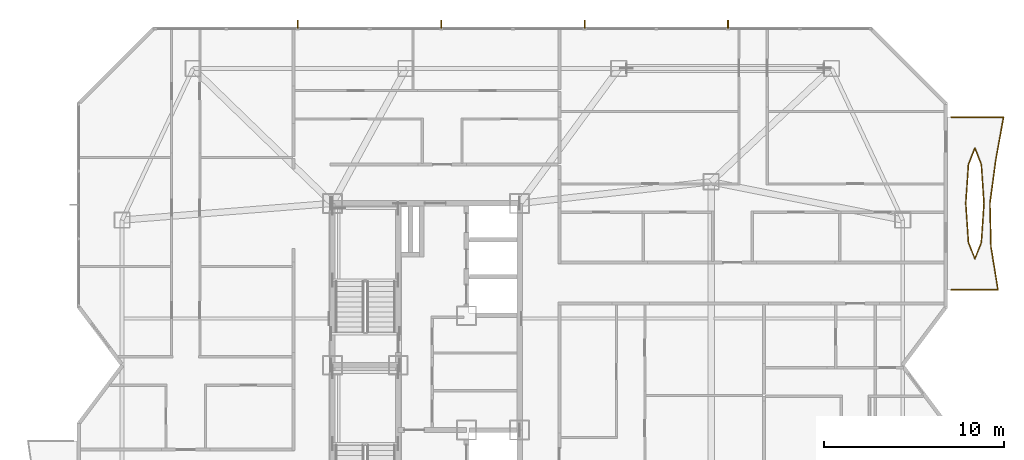
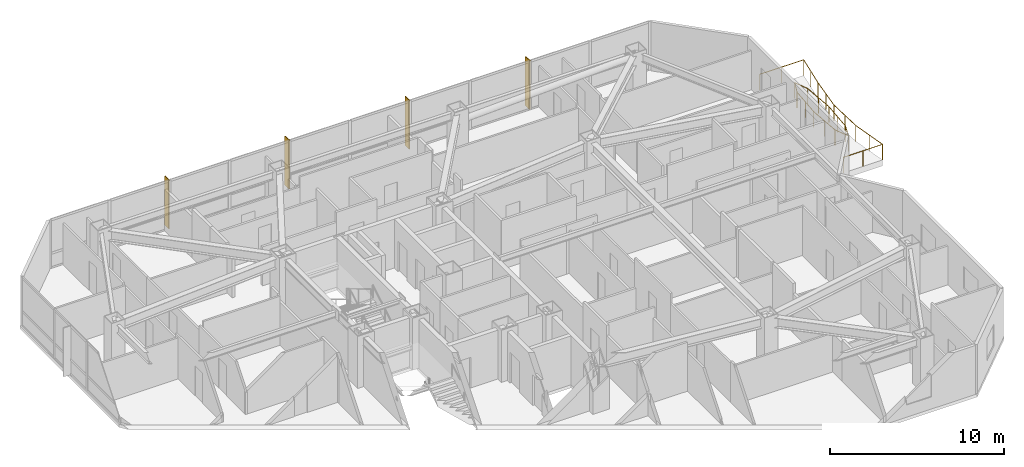
# One storey, part 21 of 21: 4 railings, 4 shading devices.
"""IFC4 building model written with IfcOpenShell, lengths in metres."""

from ifc_helpers import new_model, si_unit, direction, frame, origin, origin_2d, place, context, subcontext, project, spatial, rectangle, circle, extrude, material, type_object, element, save


model = new_model("IFC4")

# Units and contexts
model_context = context("Model", 3, precision=1e-05, world=origin(), true_north=direction((0.0, 1.0)))
body_context = subcontext(model_context, "Body", "Model", "MODEL_VIEW")
ifc_project = project(units=[si_unit("LENGTHUNIT", "METRE"), si_unit("AREAUNIT", "SQUARE_METRE"), si_unit("VOLUMEUNIT", "CUBIC_METRE"), si_unit("PLANEANGLEUNIT", "RADIAN"), si_unit("MASSUNIT", "GRAM", prefix="KILO")], contexts=[model_context])

# Site, building, storey
site_placement = place(None, origin())
site = spatial("IfcSite", under=ifc_project, at=site_placement, CompositionType="ELEMENT")
building_placement = place(site_placement, origin())
building = spatial("IfcBuilding", under=site, at=building_placement, Name="Khamvora Tower", CompositionType="ELEMENT")
storey_placement = place(building_placement, frame((0.0, 0.0, 159.550048828125)))
storey = spatial("IfcBuildingStorey", under=building, at=storey_placement, Name="L40", CompositionType="ELEMENT", Elevation=159.550048828125)

# Railings
ifc_material_1 = material(Name="Stainless Steel 316 and Laminated Glass", Category="steel")
railing_type = type_object("IfcRailingType", Name="RAL-GAL-1120", PredefinedType="GUARDRAIL", material=ifc_material_1)
railing_1_placement = place(storey_placement, frame((63.39990234375, 32.199951171875, 0.0)))
element("IfcRailing", 1, at=railing_1_placement, inside=storey, type_object=railing_type, Name="L40 lens gallery south perimeter guardrail EL2", PredefinedType="GUARDRAIL", context=body_context, shape_type="SweptSolid", body=[
    extrude(circle(Radius=0.02392578125, at=origin_2d()), frame((0.0, 0.0, 1.09619140625), z_axis=(1.0, 0.0, 0.0), x_axis=(0.0, 1.0, 0.0)), (0.0, 0.0, 1.0), 2.59814453125),
    extrude(circle(Radius=0.02392578125, at=origin_2d()), frame((2.59814453125, 0.0, 1.09619140625), z_axis=(-0.159560767405, 0.98718810847, 0.0), x_axis=(-0.98718810847, -0.159560767405, 0.0)), (0.0, 0.0, 1.0), 2.431396484375),
    extrude(circle(Radius=0.02392578125, at=origin_2d()), frame((2.210205078125, 2.400146484375, 1.09619140625), z_axis=(-0.023797937805, 0.999716788974, 0.0), x_axis=(-0.999716788974, -0.023797937805, 0.0)), (0.0, 0.0, 1.0), 2.400634765625),
    extrude(circle(Radius=0.02099609375, at=origin_2d()), origin(), (0.0, 0.0, 1.0), 1.072021484375),
    extrude(circle(Radius=0.02099609375, at=origin_2d()), frame((1.299072265625, 0.0, 0.0)), (0.0, 0.0, 1.0), 1.072021484375),
    extrude(circle(Radius=0.02099609375, at=origin_2d()), frame((2.59814453125, 0.0, 0.0)), (0.0, 0.0, 1.0), 1.072021484375),
    extrude(circle(Radius=0.02099609375, at=origin_2d()), frame((2.404296875, 1.2001953125, 0.0)), (0.0, 0.0, 1.0), 1.072021484375),
    extrude(circle(Radius=0.02099609375, at=origin_2d()), frame((2.210205078125, 2.400146484375, 0.0)), (0.0, 0.0, 1.0), 1.072021484375),
    extrude(circle(Radius=0.02099609375, at=origin_2d()), frame((2.181640625, 3.60009765625, 0.0)), (0.0, 0.0, 1.0), 1.072021484375),
    extrude(circle(Radius=0.02099609375, at=origin_2d()), frame((2.153076171875, 4.800048828125, 0.0)), (0.0, 0.0, 1.0), 1.072021484375),
])
railing_2_placement = place(storey_placement, frame((65.552978515625, 37.0, 0.0)))
element("IfcRailing", 2, at=railing_2_placement, inside=storey, type_object=railing_type, Name="L40 lens gallery north perimeter guardrail EL2", PredefinedType="GUARDRAIL", context=body_context, shape_type="SweptSolid", body=[
    extrude(circle(Radius=0.02392578125, at=origin_2d()), frame((0.0, 0.0, 1.09619140625), z_axis=(0.132989212903, 0.99111748509, 0.0), x_axis=(-0.99111748509, 0.132989212903, 0.0)), (0.0, 0.0, 1.0), 2.42138671875),
    extrude(circle(Radius=0.02392578125, at=origin_2d()), frame((0.322021484375, 2.39990234375, 1.09619140625), z_axis=(0.178356947366, 0.983965852724, 0.0), x_axis=(-0.983965852724, 0.178356947366, 0.0)), (0.0, 0.0, 1.0), 2.439208984375),
    extrude(circle(Radius=0.02392578125, at=origin_2d()), frame((0.757080078125, 4.800048828125, 1.09619140625), z_axis=(-1.0, 0.0, 0.0), x_axis=(0.0, -1.0, 0.0)), (0.0, 0.0, 1.0), 2.91015625),
    extrude(circle(Radius=0.02099609375, at=origin_2d()), origin(), (0.0, 0.0, 1.0), 1.072021484375),
    extrude(circle(Radius=0.02099609375, at=origin_2d()), frame((0.1611328125, 1.199951171875, 0.0)), (0.0, 0.0, 1.0), 1.072021484375),
    extrude(circle(Radius=0.02099609375, at=origin_2d()), frame((0.322021484375, 2.39990234375, 0.0)), (0.0, 0.0, 1.0), 1.072021484375),
    extrude(circle(Radius=0.02099609375, at=origin_2d()), frame((0.53955078125, 3.60009765625, 0.0)), (0.0, 0.0, 1.0), 1.072021484375),
    extrude(circle(Radius=0.02099609375, at=origin_2d()), frame((0.757080078125, 4.800048828125, 0.0)), (0.0, 0.0, 1.0), 1.072021484375),
    extrude(circle(Radius=0.02099609375, at=origin_2d()), frame((-0.697998046875, 4.800048828125, 0.0)), (0.0, 0.0, 1.0), 1.072021484375),
    extrude(circle(Radius=0.02099609375, at=origin_2d()), frame((-2.153076171875, 4.800048828125, 0.0)), (0.0, 0.0, 1.0), 1.072021484375),
])
railing_3_placement = place(storey_placement, frame((65.218994140625, 37.0, 0.0)))
element("IfcRailing", 3, at=railing_3_placement, inside=storey, type_object=railing_type, Name="L40 lens gallery void guardrail EL2A", PredefinedType="GUARDRAIL", context=body_context, shape_type="SweptSolid", body=[
    extrude(circle(Radius=0.02392578125, at=origin_2d()), frame((0.0, 0.0, 1.09619140625), z_axis=(-0.067955394668, 0.997688360329, 0.0), x_axis=(-0.997688360329, -0.067955394668, 0.0)), (0.0, 0.0, 1.0), 2.17724609375),
    extrude(circle(Radius=0.02392578125, at=origin_2d()), frame((-0.14794921875, 2.172119140625, 1.09619140625), z_axis=(-0.367821247872, 0.92989651554, 0.0), x_axis=(-0.92989651554, -0.367821247872, 0.0)), (0.0, 0.0, 1.0), 0.9677734375),
    extrude(circle(Radius=0.02392578125, at=origin_2d()), frame((-0.50390625, 3.072021484375, 1.09619140625), z_axis=(-0.368039364147, -0.929810209902, 0.0), x_axis=(0.929810209902, -0.368039364147, 0.0)), (0.0, 0.0, 1.0), 0.9677734375),
    extrude(circle(Radius=0.02392578125, at=origin_2d()), frame((-0.860107421875, 2.172119140625, 1.09619140625), z_axis=(-0.067955394668, -0.997688360329, 0.0), x_axis=(0.997688360329, -0.067955394668, 0.0)), (0.0, 0.0, 1.0), 2.17724609375),
    extrude(circle(Radius=0.02099609375, at=origin_2d()), origin(), (0.0, 0.0, 1.0), 1.072021484375),
    extrude(circle(Radius=0.02099609375, at=origin_2d()), frame((-0.073974609375, 1.0859375, 0.0)), (0.0, 0.0, 1.0), 1.072021484375),
    extrude(circle(Radius=0.02099609375, at=origin_2d()), frame((-0.14794921875, 2.172119140625, 0.0)), (0.0, 0.0, 1.0), 1.072021484375),
    extrude(circle(Radius=0.02099609375, at=origin_2d()), frame((-0.50390625, 3.072021484375, 0.0)), (0.0, 0.0, 1.0), 1.072021484375),
    extrude(circle(Radius=0.02099609375, at=origin_2d()), frame((-0.860107421875, 2.172119140625, 0.0)), (0.0, 0.0, 1.0), 1.072021484375),
    extrude(circle(Radius=0.02099609375, at=origin_2d()), frame((-0.93408203125, 1.0859375, 0.0)), (0.0, 0.0, 1.0), 1.072021484375),
    extrude(circle(Radius=0.02099609375, at=origin_2d()), frame((-1.008056640625, 0.0, 0.0)), (0.0, 0.0, 1.0), 1.072021484375),
])
railing_4_placement = place(storey_placement, frame((64.2109375, 37.0, 0.0)))
element("IfcRailing", 4, at=railing_4_placement, inside=storey, type_object=railing_type, Name="L40 lens gallery void guardrail EL2B", PredefinedType="GUARDRAIL", context=body_context, shape_type="SweptSolid", body=[
    extrude(circle(Radius=0.02392578125, at=origin_2d()), frame((0.0, 0.0, 1.09619140625), z_axis=(0.067955394668, -0.997688360329, 0.0), x_axis=(0.997688360329, 0.067955394668, 0.0)), (0.0, 0.0, 1.0), 2.17724609375),
    extrude(circle(Radius=0.02392578125, at=origin_2d()), frame((0.14794921875, -2.172119140625, 1.09619140625), z_axis=(0.368039364147, -0.929810209902, 0.0), x_axis=(0.929810209902, 0.368039364147, 0.0)), (0.0, 0.0, 1.0), 0.9677734375),
    extrude(circle(Radius=0.02392578125, at=origin_2d()), frame((0.504150390625, -3.072021484375, 1.09619140625), z_axis=(0.367821247872, 0.92989651554, 0.0), x_axis=(-0.92989651554, 0.367821247872, 0.0)), (0.0, 0.0, 1.0), 0.9677734375),
    extrude(circle(Radius=0.02392578125, at=origin_2d()), frame((0.860107421875, -2.172119140625, 1.09619140625), z_axis=(0.067955394668, 0.997688360329, 0.0), x_axis=(-0.997688360329, 0.067955394668, 0.0)), (0.0, 0.0, 1.0), 2.17724609375),
    extrude(circle(Radius=0.02099609375, at=origin_2d()), origin(), (0.0, 0.0, 1.0), 1.072021484375),
    extrude(circle(Radius=0.02099609375, at=origin_2d()), frame((0.073974609375, -1.0859375, 0.0)), (0.0, 0.0, 1.0), 1.072021484375),
    extrude(circle(Radius=0.02099609375, at=origin_2d()), frame((0.14794921875, -2.172119140625, 0.0)), (0.0, 0.0, 1.0), 1.072021484375),
    extrude(circle(Radius=0.02099609375, at=origin_2d()), frame((0.504150390625, -3.072021484375, 0.0)), (0.0, 0.0, 1.0), 1.072021484375),
    extrude(circle(Radius=0.02099609375, at=origin_2d()), frame((0.860107421875, -2.172119140625, 0.0)), (0.0, 0.0, 1.0), 1.072021484375),
    extrude(circle(Radius=0.02099609375, at=origin_2d()), frame((0.93408203125, -1.0859375, 0.0)), (0.0, 0.0, 1.0), 1.072021484375),
    extrude(circle(Radius=0.02099609375, at=origin_2d()), frame((1.008056640625, 0.0, 0.0)), (0.0, 0.0, 1.0), 1.072021484375),
])

# Shading devices
ifc_material_2 = material(Name="Anodised Bronze Aluminium 6063-T6", Category="aluminium")
shading_device_type = type_object("IfcShadingDeviceType", Name="SHD-FIN-480", PredefinedType="USERDEFINED", material=ifc_material_2)
for number, where, z_axis, x_axis, name in (
    (5, (27.072998046875, 46.9580078125, 0.0), (0.0, 0.0, 1.0), (1.0, 0.0, 0.0), "L40 anodised bronze solar fin 07.01"),
    (6, (35.044921875, 46.9580078125, 0.0), (0.0, 0.0, 1.0), (1.0, 0.0, 0.0), "L40 anodised bronze solar fin 07.02"),
    (7, (43.01611328125, 46.9580078125, 0.0), (0.0, 0.0, 1.0), (1.0, 0.0, 0.0), "L40 anodised bronze solar fin 07.03"),
    (8, (50.988037109375, 46.9580078125, 0.0), (0.0, 0.0, 1.0), (1.0, 0.0, 0.0), "L40 anodised bronze solar fin 07.04"),
):
    element("IfcShadingDevice", number, at=place(storey_placement, frame(where, z_axis=z_axis, x_axis=x_axis)), inside=storey, type_object=shading_device_type, Name=name, ObjectType="FIN", PredefinedType="USERDEFINED", context=body_context, shape_type="SweptSolid", body=[
        extrude(rectangle(XDim=0.06494140625, YDim=0.47998046875, at=origin_2d()), origin(), (0.0, 0.0, 1.0), 3.429931640625),
    ])

save(model, "model.ifc")
